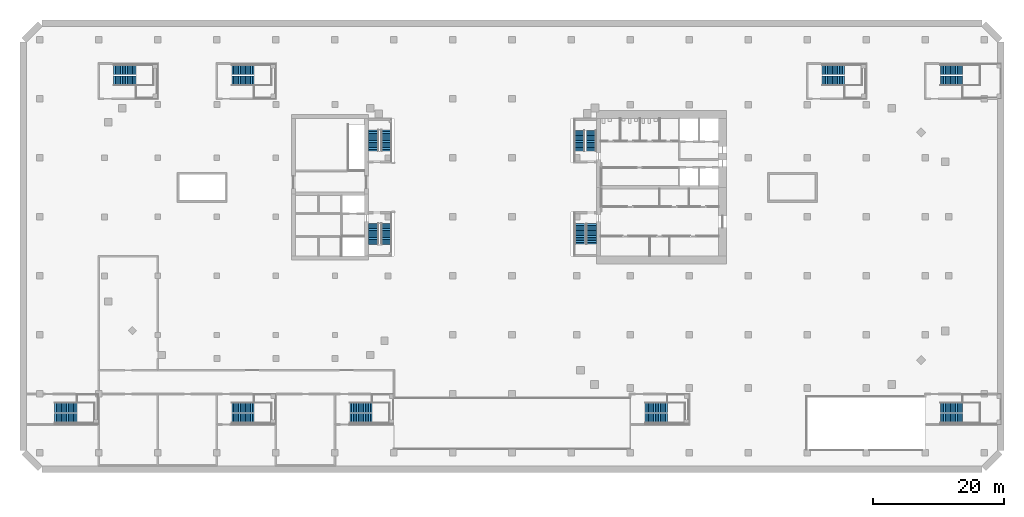
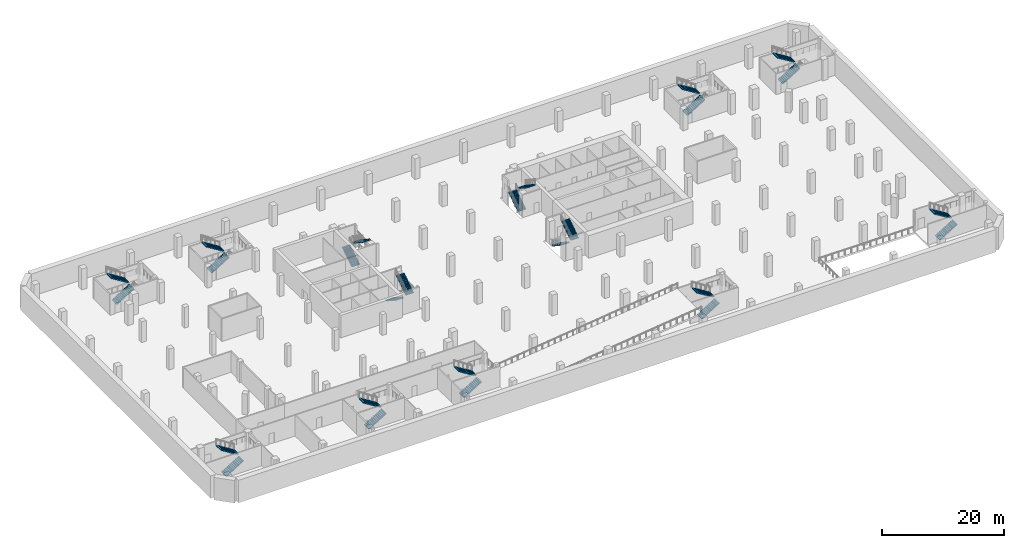
# One storey, part 11 of 16: 26 stair flights, 13 elements without a shape of their own.
"""IFC4 building model written with IfcOpenShell, lengths in metres."""

from ifc_helpers import new_model, si_unit, direction, frame, origin, place, context, subcontext, project, spatial, polyline, outline, extrude, material, type_object, element, aggregate, save


model = new_model("IFC4")

# Units and contexts
model_context = context("Model", 3, precision=1e-05, world=origin(), true_north=direction((0.0, 1.0)))
body_context = subcontext(model_context, "Body", "Model", "MODEL_VIEW")
ifc_project = project(units=[si_unit("LENGTHUNIT", "METRE"), si_unit("AREAUNIT", "SQUARE_METRE"), si_unit("VOLUMEUNIT", "CUBIC_METRE"), si_unit("PLANEANGLEUNIT", "RADIAN"), si_unit("MASSUNIT", "GRAM", prefix="KILO")], contexts=[model_context])

# Site, building, storey
site_placement = place(None, origin())
site = spatial("IfcSite", under=ifc_project, at=site_placement, CompositionType="ELEMENT")
building_placement = place(site_placement, origin())
building = spatial("IfcBuilding", under=site, at=building_placement, Name="Cinnabar Reach Civic Tower", CompositionType="ELEMENT")
storey_placement = place(building_placement, frame((0.0, 0.0, -9.5)))
storey = spatial("IfcBuildingStorey", under=building, at=storey_placement, Name="B2", CompositionType="ELEMENT", Elevation=-9.5)

# Stair, stair flights
ifc_material_1 = material(Name="Concrete C35", Category="concrete")
stair_type_1 = type_object("IfcStairType", Name="Podium exit stair 1500", PredefinedType="HALF_TURN_STAIR", material=ifc_material_1)
stair_1_placement = place(storey_placement, origin())
stair_1 = element("IfcStair", 1, at=stair_1_placement, inside=storey, type_object=stair_type_1, Name="Stair PS1", PredefinedType="HALF_TURN_STAIR")
stair_flight_type_1 = type_object("IfcStairFlightType", Name="Podium exit stair flight 1500", PredefinedType="STRAIGHT", material=ifc_material_1)
stair_flight_1_placement = place(storey_placement, frame((-78.71, -3.75, 0.0), z_axis=(0.0, 0.0, 1.0), x_axis=(1.0, 0.0, 0.0)))
stair_flight_1 = element("IfcStairFlight", 2, at=stair_flight_1_placement, type_object=stair_flight_type_1, Name="PS1 flight 1", NumberOfRisers=14, NumberOfTreads=13, PredefinedType="STRAIGHT", RiserHeight=0.160714286, TreadLength=0.26, context=body_context, shape_type="SweptSolid", body=[
    extrude(outline(polyline([(0.0, 0.0), (0.0, 0.1607), (0.26, 0.1607), (0.26, 0.3214), (0.52, 0.3214), (0.52, 0.4821), (0.78, 0.4821), (0.78, 0.6429), (1.04, 0.6429), (1.04, 0.8036), (1.3, 0.8036), (1.3, 0.9643), (1.56, 0.9643), (1.56, 1.125), (1.82, 1.125), (1.82, 1.2857), (2.08, 1.2857), (2.08, 1.4464), (2.34, 1.4464), (2.34, 1.6071), (2.6, 1.6071), (2.6, 1.7679), (2.86, 1.7679), (2.86, 1.9286), (3.12, 1.9286), (3.12, 2.0893), (3.38, 2.0893), (3.38, 2.25), (3.38, 1.9129), (0.2853, 0.0), (0.0, 0.0)])), frame((0.0, 0.75, 0.0), z_axis=(0.0, -1.0, 0.0), x_axis=(1.0, 0.0, 0.0)), (0.0, 0.0, 1.0), 1.5),
])
stair_flight_2_placement = place(storey_placement, frame((-75.33, -2.05, 2.25), z_axis=(0.0, 0.0, 1.0), x_axis=(-1.0, 0.0, 0.0)))
stair_flight_2 = element("IfcStairFlight", 3, at=stair_flight_2_placement, type_object=stair_flight_type_1, Name="PS1 flight 2", NumberOfRisers=14, NumberOfTreads=13, PredefinedType="STRAIGHT", RiserHeight=0.160714286, TreadLength=0.26, context=body_context, shape_type="SweptSolid", body=[
    extrude(outline(polyline([(0.0, 0.0), (0.0, 0.1607), (0.26, 0.1607), (0.26, 0.3214), (0.52, 0.3214), (0.52, 0.4821), (0.78, 0.4821), (0.78, 0.6429), (1.04, 0.6429), (1.04, 0.8036), (1.3, 0.8036), (1.3, 0.9643), (1.56, 0.9643), (1.56, 1.125), (1.82, 1.125), (1.82, 1.2857), (2.08, 1.2857), (2.08, 1.4464), (2.34, 1.4464), (2.34, 1.6071), (2.6, 1.6071), (2.6, 1.7679), (2.86, 1.7679), (2.86, 1.9286), (3.12, 1.9286), (3.12, 2.0893), (3.38, 2.0893), (3.38, 2.25), (3.38, 1.9129), (0.2853, 0.0), (0.0, 0.0)])), frame((0.0, 0.75, 0.0), z_axis=(0.0, -1.0, 0.0), x_axis=(1.0, 0.0, 0.0)), (0.0, 0.0, 1.0), 1.5),
])
aggregate(stair_1, [stair_flight_1, stair_flight_2])

stair_2_placement = place(storey_placement, origin())
stair_2 = element("IfcStair", 4, at=stair_2_placement, inside=storey, type_object=stair_type_1, Name="Stair PS2", PredefinedType="HALF_TURN_STAIR")
stair_flight_3_placement = place(storey_placement, frame((-69.71, 47.75, 0.0), z_axis=(0.0, 0.0, 1.0), x_axis=(1.0, 0.0, 0.0)))
stair_flight_3 = element("IfcStairFlight", 5, at=stair_flight_3_placement, type_object=stair_flight_type_1, Name="PS2 flight 1", NumberOfRisers=14, NumberOfTreads=13, PredefinedType="STRAIGHT", RiserHeight=0.160714286, TreadLength=0.26, context=body_context, shape_type="SweptSolid", body=[
    extrude(outline(polyline([(0.0, 0.0), (0.0, 0.1607), (0.26, 0.1607), (0.26, 0.3214), (0.52, 0.3214), (0.52, 0.4821), (0.78, 0.4821), (0.78, 0.6429), (1.04, 0.6429), (1.04, 0.8036), (1.3, 0.8036), (1.3, 0.9643), (1.56, 0.9643), (1.56, 1.125), (1.82, 1.125), (1.82, 1.2857), (2.08, 1.2857), (2.08, 1.4464), (2.34, 1.4464), (2.34, 1.6071), (2.6, 1.6071), (2.6, 1.7679), (2.86, 1.7679), (2.86, 1.9286), (3.12, 1.9286), (3.12, 2.0893), (3.38, 2.0893), (3.38, 2.25), (3.38, 1.9129), (0.2853, 0.0), (0.0, 0.0)])), frame((0.0, 0.75, 0.0), z_axis=(0.0, -1.0, 0.0), x_axis=(1.0, 0.0, 0.0)), (0.0, 0.0, 1.0), 1.5),
])
stair_flight_4_placement = place(storey_placement, frame((-66.33, 49.45, 2.25), z_axis=(0.0, 0.0, 1.0), x_axis=(-1.0, 0.0, 0.0)))
stair_flight_4 = element("IfcStairFlight", 6, at=stair_flight_4_placement, type_object=stair_flight_type_1, Name="PS2 flight 2", NumberOfRisers=14, NumberOfTreads=13, PredefinedType="STRAIGHT", RiserHeight=0.160714286, TreadLength=0.26, context=body_context, shape_type="SweptSolid", body=[
    extrude(outline(polyline([(0.0, 0.0), (0.0, 0.1607), (0.26, 0.1607), (0.26, 0.3214), (0.52, 0.3214), (0.52, 0.4821), (0.78, 0.4821), (0.78, 0.6429), (1.04, 0.6429), (1.04, 0.8036), (1.3, 0.8036), (1.3, 0.9643), (1.56, 0.9643), (1.56, 1.125), (1.82, 1.125), (1.82, 1.2857), (2.08, 1.2857), (2.08, 1.4464), (2.34, 1.4464), (2.34, 1.6071), (2.6, 1.6071), (2.6, 1.7679), (2.86, 1.7679), (2.86, 1.9286), (3.12, 1.9286), (3.12, 2.0893), (3.38, 2.0893), (3.38, 2.25), (3.38, 1.9129), (0.2853, 0.0), (0.0, 0.0)])), frame((0.0, 0.75, 0.0), z_axis=(0.0, -1.0, 0.0), x_axis=(1.0, 0.0, 0.0)), (0.0, 0.0, 1.0), 1.5),
])
aggregate(stair_2, [stair_flight_3, stair_flight_4])

stair_3_placement = place(storey_placement, origin())
stair_3 = element("IfcStair", 7, at=stair_3_placement, inside=storey, type_object=stair_type_1, Name="Stair PS3", PredefinedType="HALF_TURN_STAIR")
stair_flight_5_placement = place(storey_placement, frame((11.29, -3.75, 0.0), z_axis=(0.0, 0.0, 1.0), x_axis=(1.0, 0.0, 0.0)))
stair_flight_5 = element("IfcStairFlight", 8, at=stair_flight_5_placement, type_object=stair_flight_type_1, Name="PS3 flight 1", NumberOfRisers=14, NumberOfTreads=13, PredefinedType="STRAIGHT", RiserHeight=0.160714286, TreadLength=0.26, context=body_context, shape_type="SweptSolid", body=[
    extrude(outline(polyline([(0.0, 0.0), (0.0, 0.1607), (0.26, 0.1607), (0.26, 0.3214), (0.52, 0.3214), (0.52, 0.4821), (0.78, 0.4821), (0.78, 0.6429), (1.04, 0.6429), (1.04, 0.8036), (1.3, 0.8036), (1.3, 0.9643), (1.56, 0.9643), (1.56, 1.125), (1.82, 1.125), (1.82, 1.2857), (2.08, 1.2857), (2.08, 1.4464), (2.34, 1.4464), (2.34, 1.6071), (2.6, 1.6071), (2.6, 1.7679), (2.86, 1.7679), (2.86, 1.9286), (3.12, 1.9286), (3.12, 2.0893), (3.38, 2.0893), (3.38, 2.25), (3.38, 1.9129), (0.2853, 0.0), (0.0, 0.0)])), frame((0.0, 0.75, 0.0), z_axis=(0.0, -1.0, 0.0), x_axis=(1.0, 0.0, 0.0)), (0.0, 0.0, 1.0), 1.5),
])
stair_flight_6_placement = place(storey_placement, frame((14.67, -2.05, 2.25), z_axis=(0.0, 0.0, 1.0), x_axis=(-1.0, 0.0, 0.0)))
stair_flight_6 = element("IfcStairFlight", 9, at=stair_flight_6_placement, type_object=stair_flight_type_1, Name="PS3 flight 2", NumberOfRisers=14, NumberOfTreads=13, PredefinedType="STRAIGHT", RiserHeight=0.160714286, TreadLength=0.26, context=body_context, shape_type="SweptSolid", body=[
    extrude(outline(polyline([(0.0, 0.0), (0.0, 0.1607), (0.26, 0.1607), (0.26, 0.3214), (0.52, 0.3214), (0.52, 0.4821), (0.78, 0.4821), (0.78, 0.6429), (1.04, 0.6429), (1.04, 0.8036), (1.3, 0.8036), (1.3, 0.9643), (1.56, 0.9643), (1.56, 1.125), (1.82, 1.125), (1.82, 1.2857), (2.08, 1.2857), (2.08, 1.4464), (2.34, 1.4464), (2.34, 1.6071), (2.6, 1.6071), (2.6, 1.7679), (2.86, 1.7679), (2.86, 1.9286), (3.12, 1.9286), (3.12, 2.0893), (3.38, 2.0893), (3.38, 2.25), (3.38, 1.9129), (0.2853, 0.0), (0.0, 0.0)])), frame((0.0, 0.75, 0.0), z_axis=(0.0, -1.0, 0.0), x_axis=(1.0, 0.0, 0.0)), (0.0, 0.0, 1.0), 1.5),
])
aggregate(stair_3, [stair_flight_5, stair_flight_6])

stair_4_placement = place(storey_placement, origin())
stair_4 = element("IfcStair", 10, at=stair_4_placement, inside=storey, type_object=stair_type_1, Name="Stair PS4", PredefinedType="HALF_TURN_STAIR")
stair_flight_7_placement = place(storey_placement, frame((56.29, -3.75, 0.0), z_axis=(0.0, 0.0, 1.0), x_axis=(1.0, 0.0, 0.0)))
stair_flight_7 = element("IfcStairFlight", 11, at=stair_flight_7_placement, type_object=stair_flight_type_1, Name="PS4 flight 1", NumberOfRisers=14, NumberOfTreads=13, PredefinedType="STRAIGHT", RiserHeight=0.160714286, TreadLength=0.26, context=body_context, shape_type="SweptSolid", body=[
    extrude(outline(polyline([(0.0, 0.0), (0.0, 0.1607), (0.26, 0.1607), (0.26, 0.3214), (0.52, 0.3214), (0.52, 0.4821), (0.78, 0.4821), (0.78, 0.6429), (1.04, 0.6429), (1.04, 0.8036), (1.3, 0.8036), (1.3, 0.9643), (1.56, 0.9643), (1.56, 1.125), (1.82, 1.125), (1.82, 1.2857), (2.08, 1.2857), (2.08, 1.4464), (2.34, 1.4464), (2.34, 1.6071), (2.6, 1.6071), (2.6, 1.7679), (2.86, 1.7679), (2.86, 1.9286), (3.12, 1.9286), (3.12, 2.0893), (3.38, 2.0893), (3.38, 2.25), (3.38, 1.9129), (0.2853, 0.0), (0.0, 0.0)])), frame((0.0, 0.75, 0.0), z_axis=(0.0, -1.0, 0.0), x_axis=(1.0, 0.0, 0.0)), (0.0, 0.0, 1.0), 1.5),
])
stair_flight_8_placement = place(storey_placement, frame((59.67, -2.05, 2.25), z_axis=(0.0, 0.0, 1.0), x_axis=(-1.0, 0.0, 0.0)))
stair_flight_8 = element("IfcStairFlight", 12, at=stair_flight_8_placement, type_object=stair_flight_type_1, Name="PS4 flight 2", NumberOfRisers=14, NumberOfTreads=13, PredefinedType="STRAIGHT", RiserHeight=0.160714286, TreadLength=0.26, context=body_context, shape_type="SweptSolid", body=[
    extrude(outline(polyline([(0.0, 0.0), (0.0, 0.1607), (0.26, 0.1607), (0.26, 0.3214), (0.52, 0.3214), (0.52, 0.4821), (0.78, 0.4821), (0.78, 0.6429), (1.04, 0.6429), (1.04, 0.8036), (1.3, 0.8036), (1.3, 0.9643), (1.56, 0.9643), (1.56, 1.125), (1.82, 1.125), (1.82, 1.2857), (2.08, 1.2857), (2.08, 1.4464), (2.34, 1.4464), (2.34, 1.6071), (2.6, 1.6071), (2.6, 1.7679), (2.86, 1.7679), (2.86, 1.9286), (3.12, 1.9286), (3.12, 2.0893), (3.38, 2.0893), (3.38, 2.25), (3.38, 1.9129), (0.2853, 0.0), (0.0, 0.0)])), frame((0.0, 0.75, 0.0), z_axis=(0.0, -1.0, 0.0), x_axis=(1.0, 0.0, 0.0)), (0.0, 0.0, 1.0), 1.5),
])
aggregate(stair_4, [stair_flight_7, stair_flight_8])

stair_5_placement = place(storey_placement, origin())
stair_5 = element("IfcStair", 13, at=stair_5_placement, inside=storey, type_object=stair_type_1, Name="Stair PS5", PredefinedType="HALF_TURN_STAIR")
stair_flight_9_placement = place(storey_placement, frame((56.29, 47.75, 0.0), z_axis=(0.0, 0.0, 1.0), x_axis=(1.0, 0.0, 0.0)))
stair_flight_9 = element("IfcStairFlight", 14, at=stair_flight_9_placement, type_object=stair_flight_type_1, Name="PS5 flight 1", NumberOfRisers=14, NumberOfTreads=13, PredefinedType="STRAIGHT", RiserHeight=0.160714286, TreadLength=0.26, context=body_context, shape_type="SweptSolid", body=[
    extrude(outline(polyline([(0.0, 0.0), (0.0, 0.1607), (0.26, 0.1607), (0.26, 0.3214), (0.52, 0.3214), (0.52, 0.4821), (0.78, 0.4821), (0.78, 0.6429), (1.04, 0.6429), (1.04, 0.8036), (1.3, 0.8036), (1.3, 0.9643), (1.56, 0.9643), (1.56, 1.125), (1.82, 1.125), (1.82, 1.2857), (2.08, 1.2857), (2.08, 1.4464), (2.34, 1.4464), (2.34, 1.6071), (2.6, 1.6071), (2.6, 1.7679), (2.86, 1.7679), (2.86, 1.9286), (3.12, 1.9286), (3.12, 2.0893), (3.38, 2.0893), (3.38, 2.25), (3.38, 1.9129), (0.2853, 0.0), (0.0, 0.0)])), frame((0.0, 0.75, 0.0), z_axis=(0.0, -1.0, 0.0), x_axis=(1.0, 0.0, 0.0)), (0.0, 0.0, 1.0), 1.5),
])
stair_flight_10_placement = place(storey_placement, frame((59.67, 49.45, 2.25), z_axis=(0.0, 0.0, 1.0), x_axis=(-1.0, 0.0, 0.0)))
stair_flight_10 = element("IfcStairFlight", 15, at=stair_flight_10_placement, type_object=stair_flight_type_1, Name="PS5 flight 2", NumberOfRisers=14, NumberOfTreads=13, PredefinedType="STRAIGHT", RiserHeight=0.160714286, TreadLength=0.26, context=body_context, shape_type="SweptSolid", body=[
    extrude(outline(polyline([(0.0, 0.0), (0.0, 0.1607), (0.26, 0.1607), (0.26, 0.3214), (0.52, 0.3214), (0.52, 0.4821), (0.78, 0.4821), (0.78, 0.6429), (1.04, 0.6429), (1.04, 0.8036), (1.3, 0.8036), (1.3, 0.9643), (1.56, 0.9643), (1.56, 1.125), (1.82, 1.125), (1.82, 1.2857), (2.08, 1.2857), (2.08, 1.4464), (2.34, 1.4464), (2.34, 1.6071), (2.6, 1.6071), (2.6, 1.7679), (2.86, 1.7679), (2.86, 1.9286), (3.12, 1.9286), (3.12, 2.0893), (3.38, 2.0893), (3.38, 2.25), (3.38, 1.9129), (0.2853, 0.0), (0.0, 0.0)])), frame((0.0, 0.75, 0.0), z_axis=(0.0, -1.0, 0.0), x_axis=(1.0, 0.0, 0.0)), (0.0, 0.0, 1.0), 1.5),
])
aggregate(stair_5, [stair_flight_9, stair_flight_10])

stair_6_placement = place(storey_placement, origin())
stair_6 = element("IfcStair", 16, at=stair_6_placement, inside=storey, type_object=stair_type_1, Name="Stair PS6", PredefinedType="HALF_TURN_STAIR")
stair_flight_11_placement = place(storey_placement, frame((38.29, 47.75, 0.0), z_axis=(0.0, 0.0, 1.0), x_axis=(1.0, 0.0, 0.0)))
stair_flight_11 = element("IfcStairFlight", 17, at=stair_flight_11_placement, type_object=stair_flight_type_1, Name="PS6 flight 1", NumberOfRisers=14, NumberOfTreads=13, PredefinedType="STRAIGHT", RiserHeight=0.160714286, TreadLength=0.26, context=body_context, shape_type="SweptSolid", body=[
    extrude(outline(polyline([(0.0, 0.0), (0.0, 0.1607), (0.26, 0.1607), (0.26, 0.3214), (0.52, 0.3214), (0.52, 0.4821), (0.78, 0.4821), (0.78, 0.6429), (1.04, 0.6429), (1.04, 0.8036), (1.3, 0.8036), (1.3, 0.9643), (1.56, 0.9643), (1.56, 1.125), (1.82, 1.125), (1.82, 1.2857), (2.08, 1.2857), (2.08, 1.4464), (2.34, 1.4464), (2.34, 1.6071), (2.6, 1.6071), (2.6, 1.7679), (2.86, 1.7679), (2.86, 1.9286), (3.12, 1.9286), (3.12, 2.0893), (3.38, 2.0893), (3.38, 2.25), (3.38, 1.9129), (0.2853, 0.0), (0.0, 0.0)])), frame((0.0, 0.75, 0.0), z_axis=(0.0, -1.0, 0.0), x_axis=(1.0, 0.0, 0.0)), (0.0, 0.0, 1.0), 1.5),
])
stair_flight_12_placement = place(storey_placement, frame((41.67, 49.45, 2.25), z_axis=(0.0, 0.0, 1.0), x_axis=(-1.0, 0.0, 0.0)))
stair_flight_12 = element("IfcStairFlight", 18, at=stair_flight_12_placement, type_object=stair_flight_type_1, Name="PS6 flight 2", NumberOfRisers=14, NumberOfTreads=13, PredefinedType="STRAIGHT", RiserHeight=0.160714286, TreadLength=0.26, context=body_context, shape_type="SweptSolid", body=[
    extrude(outline(polyline([(0.0, 0.0), (0.0, 0.1607), (0.26, 0.1607), (0.26, 0.3214), (0.52, 0.3214), (0.52, 0.4821), (0.78, 0.4821), (0.78, 0.6429), (1.04, 0.6429), (1.04, 0.8036), (1.3, 0.8036), (1.3, 0.9643), (1.56, 0.9643), (1.56, 1.125), (1.82, 1.125), (1.82, 1.2857), (2.08, 1.2857), (2.08, 1.4464), (2.34, 1.4464), (2.34, 1.6071), (2.6, 1.6071), (2.6, 1.7679), (2.86, 1.7679), (2.86, 1.9286), (3.12, 1.9286), (3.12, 2.0893), (3.38, 2.0893), (3.38, 2.25), (3.38, 1.9129), (0.2853, 0.0), (0.0, 0.0)])), frame((0.0, 0.75, 0.0), z_axis=(0.0, -1.0, 0.0), x_axis=(1.0, 0.0, 0.0)), (0.0, 0.0, 1.0), 1.5),
])
aggregate(stair_6, [stair_flight_11, stair_flight_12])

stair_7_placement = place(storey_placement, origin())
stair_7 = element("IfcStair", 19, at=stair_7_placement, inside=storey, type_object=stair_type_1, Name="Stair PS7", PredefinedType="HALF_TURN_STAIR")
stair_flight_13_placement = place(storey_placement, frame((-51.71, 47.75, 0.0), z_axis=(0.0, 0.0, 1.0), x_axis=(1.0, 0.0, 0.0)))
stair_flight_13 = element("IfcStairFlight", 20, at=stair_flight_13_placement, type_object=stair_flight_type_1, Name="PS7 flight 1", NumberOfRisers=14, NumberOfTreads=13, PredefinedType="STRAIGHT", RiserHeight=0.160714286, TreadLength=0.26, context=body_context, shape_type="SweptSolid", body=[
    extrude(outline(polyline([(0.0, 0.0), (0.0, 0.1607), (0.26, 0.1607), (0.26, 0.3214), (0.52, 0.3214), (0.52, 0.4821), (0.78, 0.4821), (0.78, 0.6429), (1.04, 0.6429), (1.04, 0.8036), (1.3, 0.8036), (1.3, 0.9643), (1.56, 0.9643), (1.56, 1.125), (1.82, 1.125), (1.82, 1.2857), (2.08, 1.2857), (2.08, 1.4464), (2.34, 1.4464), (2.34, 1.6071), (2.6, 1.6071), (2.6, 1.7679), (2.86, 1.7679), (2.86, 1.9286), (3.12, 1.9286), (3.12, 2.0893), (3.38, 2.0893), (3.38, 2.25), (3.38, 1.9129), (0.2853, 0.0), (0.0, 0.0)])), frame((0.0, 0.75, 0.0), z_axis=(0.0, -1.0, 0.0), x_axis=(1.0, 0.0, 0.0)), (0.0, 0.0, 1.0), 1.5),
])
stair_flight_14_placement = place(storey_placement, frame((-48.33, 49.45, 2.25), z_axis=(0.0, 0.0, 1.0), x_axis=(-1.0, 0.0, 0.0)))
stair_flight_14 = element("IfcStairFlight", 21, at=stair_flight_14_placement, type_object=stair_flight_type_1, Name="PS7 flight 2", NumberOfRisers=14, NumberOfTreads=13, PredefinedType="STRAIGHT", RiserHeight=0.160714286, TreadLength=0.26, context=body_context, shape_type="SweptSolid", body=[
    extrude(outline(polyline([(0.0, 0.0), (0.0, 0.1607), (0.26, 0.1607), (0.26, 0.3214), (0.52, 0.3214), (0.52, 0.4821), (0.78, 0.4821), (0.78, 0.6429), (1.04, 0.6429), (1.04, 0.8036), (1.3, 0.8036), (1.3, 0.9643), (1.56, 0.9643), (1.56, 1.125), (1.82, 1.125), (1.82, 1.2857), (2.08, 1.2857), (2.08, 1.4464), (2.34, 1.4464), (2.34, 1.6071), (2.6, 1.6071), (2.6, 1.7679), (2.86, 1.7679), (2.86, 1.9286), (3.12, 1.9286), (3.12, 2.0893), (3.38, 2.0893), (3.38, 2.25), (3.38, 1.9129), (0.2853, 0.0), (0.0, 0.0)])), frame((0.0, 0.75, 0.0), z_axis=(0.0, -1.0, 0.0), x_axis=(1.0, 0.0, 0.0)), (0.0, 0.0, 1.0), 1.5),
])
aggregate(stair_7, [stair_flight_13, stair_flight_14])

stair_8_placement = place(storey_placement, origin())
stair_8 = element("IfcStair", 22, at=stair_8_placement, inside=storey, type_object=stair_type_1, Name="Stair PS8", PredefinedType="HALF_TURN_STAIR")
stair_flight_15_placement = place(storey_placement, frame((-51.71, -3.75, 0.0), z_axis=(0.0, 0.0, 1.0), x_axis=(1.0, 0.0, 0.0)))
stair_flight_15 = element("IfcStairFlight", 23, at=stair_flight_15_placement, type_object=stair_flight_type_1, Name="PS8 flight 1", NumberOfRisers=14, NumberOfTreads=13, PredefinedType="STRAIGHT", RiserHeight=0.160714286, TreadLength=0.26, context=body_context, shape_type="SweptSolid", body=[
    extrude(outline(polyline([(0.0, 0.0), (0.0, 0.1607), (0.26, 0.1607), (0.26, 0.3214), (0.52, 0.3214), (0.52, 0.4821), (0.78, 0.4821), (0.78, 0.6429), (1.04, 0.6429), (1.04, 0.8036), (1.3, 0.8036), (1.3, 0.9643), (1.56, 0.9643), (1.56, 1.125), (1.82, 1.125), (1.82, 1.2857), (2.08, 1.2857), (2.08, 1.4464), (2.34, 1.4464), (2.34, 1.6071), (2.6, 1.6071), (2.6, 1.7679), (2.86, 1.7679), (2.86, 1.9286), (3.12, 1.9286), (3.12, 2.0893), (3.38, 2.0893), (3.38, 2.25), (3.38, 1.9129), (0.2853, 0.0), (0.0, 0.0)])), frame((0.0, 0.75, 0.0), z_axis=(0.0, -1.0, 0.0), x_axis=(1.0, 0.0, 0.0)), (0.0, 0.0, 1.0), 1.5),
])
stair_flight_16_placement = place(storey_placement, frame((-48.33, -2.05, 2.25), z_axis=(0.0, 0.0, 1.0), x_axis=(-1.0, 0.0, 0.0)))
stair_flight_16 = element("IfcStairFlight", 24, at=stair_flight_16_placement, type_object=stair_flight_type_1, Name="PS8 flight 2", NumberOfRisers=14, NumberOfTreads=13, PredefinedType="STRAIGHT", RiserHeight=0.160714286, TreadLength=0.26, context=body_context, shape_type="SweptSolid", body=[
    extrude(outline(polyline([(0.0, 0.0), (0.0, 0.1607), (0.26, 0.1607), (0.26, 0.3214), (0.52, 0.3214), (0.52, 0.4821), (0.78, 0.4821), (0.78, 0.6429), (1.04, 0.6429), (1.04, 0.8036), (1.3, 0.8036), (1.3, 0.9643), (1.56, 0.9643), (1.56, 1.125), (1.82, 1.125), (1.82, 1.2857), (2.08, 1.2857), (2.08, 1.4464), (2.34, 1.4464), (2.34, 1.6071), (2.6, 1.6071), (2.6, 1.7679), (2.86, 1.7679), (2.86, 1.9286), (3.12, 1.9286), (3.12, 2.0893), (3.38, 2.0893), (3.38, 2.25), (3.38, 1.9129), (0.2853, 0.0), (0.0, 0.0)])), frame((0.0, 0.75, 0.0), z_axis=(0.0, -1.0, 0.0), x_axis=(1.0, 0.0, 0.0)), (0.0, 0.0, 1.0), 1.5),
])
aggregate(stair_8, [stair_flight_15, stair_flight_16])

stair_9_placement = place(storey_placement, origin())
stair_9 = element("IfcStair", 25, at=stair_9_placement, inside=storey, type_object=stair_type_1, Name="Stair PS9", PredefinedType="HALF_TURN_STAIR")
stair_flight_17_placement = place(storey_placement, frame((-33.71, -3.75, 0.0), z_axis=(0.0, 0.0, 1.0), x_axis=(1.0, 0.0, 0.0)))
stair_flight_17 = element("IfcStairFlight", 26, at=stair_flight_17_placement, type_object=stair_flight_type_1, Name="PS9 flight 1", NumberOfRisers=14, NumberOfTreads=13, PredefinedType="STRAIGHT", RiserHeight=0.160714286, TreadLength=0.26, context=body_context, shape_type="SweptSolid", body=[
    extrude(outline(polyline([(0.0, 0.0), (0.0, 0.1607), (0.26, 0.1607), (0.26, 0.3214), (0.52, 0.3214), (0.52, 0.4821), (0.78, 0.4821), (0.78, 0.6429), (1.04, 0.6429), (1.04, 0.8036), (1.3, 0.8036), (1.3, 0.9643), (1.56, 0.9643), (1.56, 1.125), (1.82, 1.125), (1.82, 1.2857), (2.08, 1.2857), (2.08, 1.4464), (2.34, 1.4464), (2.34, 1.6071), (2.6, 1.6071), (2.6, 1.7679), (2.86, 1.7679), (2.86, 1.9286), (3.12, 1.9286), (3.12, 2.0893), (3.38, 2.0893), (3.38, 2.25), (3.38, 1.9129), (0.2853, 0.0), (0.0, 0.0)])), frame((0.0, 0.75, 0.0), z_axis=(0.0, -1.0, 0.0), x_axis=(1.0, 0.0, 0.0)), (0.0, 0.0, 1.0), 1.5),
])
stair_flight_18_placement = place(storey_placement, frame((-30.33, -2.05, 2.25), z_axis=(0.0, 0.0, 1.0), x_axis=(-1.0, 0.0, 0.0)))
stair_flight_18 = element("IfcStairFlight", 27, at=stair_flight_18_placement, type_object=stair_flight_type_1, Name="PS9 flight 2", NumberOfRisers=14, NumberOfTreads=13, PredefinedType="STRAIGHT", RiserHeight=0.160714286, TreadLength=0.26, context=body_context, shape_type="SweptSolid", body=[
    extrude(outline(polyline([(0.0, 0.0), (0.0, 0.1607), (0.26, 0.1607), (0.26, 0.3214), (0.52, 0.3214), (0.52, 0.4821), (0.78, 0.4821), (0.78, 0.6429), (1.04, 0.6429), (1.04, 0.8036), (1.3, 0.8036), (1.3, 0.9643), (1.56, 0.9643), (1.56, 1.125), (1.82, 1.125), (1.82, 1.2857), (2.08, 1.2857), (2.08, 1.4464), (2.34, 1.4464), (2.34, 1.6071), (2.6, 1.6071), (2.6, 1.7679), (2.86, 1.7679), (2.86, 1.9286), (3.12, 1.9286), (3.12, 2.0893), (3.38, 2.0893), (3.38, 2.25), (3.38, 1.9129), (0.2853, 0.0), (0.0, 0.0)])), frame((0.0, 0.75, 0.0), z_axis=(0.0, -1.0, 0.0), x_axis=(1.0, 0.0, 0.0)), (0.0, 0.0, 1.0), 1.5),
])
aggregate(stair_9, [stair_flight_17, stair_flight_18])

ifc_material_2 = material(Name="Concrete C40/50", Category="concrete")
stair_type_2 = type_object("IfcStairType", Name="T1 Exit stair, half-turn", PredefinedType="HALF_TURN_STAIR", material=ifc_material_2)
stair_10_placement = place(storey_placement, origin())
stair_10 = element("IfcStair", 28, at=stair_10_placement, inside=storey, type_object=stair_type_2, Name="Stair T1-S1", PredefinedType="HALF_TURN_STAIR")
stair_flight_type_2 = type_object("IfcStairFlightType", Name="T1 Stair flight, concrete", PredefinedType="STRAIGHT", material=ifc_material_2)
stair_flight_19_placement = place(storey_placement, frame((1.3125, 25.95, 0.0), z_axis=(0.0, 0.0, 1.0), x_axis=(0.0, -1.0, 0.0)))
stair_flight_19 = element("IfcStairFlight", 29, at=stair_flight_19_placement, type_object=stair_flight_type_2, Name="T1-S1 flight 1", NumberOfRisers=13, NumberOfTreads=12, PredefinedType="STRAIGHT", RiserHeight=0.173076923, TreadLength=0.26, context=body_context, shape_type="SweptSolid", body=[
    extrude(outline(polyline([(0.0, 0.0), (0.0, 0.1731), (0.26, 0.1731), (0.26, 0.3462), (0.52, 0.3462), (0.52, 0.5192), (0.78, 0.5192), (0.78, 0.6923), (1.04, 0.6923), (1.04, 0.8654), (1.3, 0.8654), (1.3, 1.0385), (1.56, 1.0385), (1.56, 1.2115), (1.82, 1.2115), (1.82, 1.3846), (2.08, 1.3846), (2.08, 1.5577), (2.34, 1.5577), (2.34, 1.7308), (2.6, 1.7308), (2.6, 1.9038), (2.86, 1.9038), (2.86, 2.0769), (3.12, 2.0769), (3.12, 2.25), (3.12, 1.8967), (0.2707, 0.0), (0.0, 0.0)])), frame((0.0, 0.7625, 0.0), z_axis=(0.0, -1.0, 0.0), x_axis=(1.0, 0.0, 0.0)), (0.0, 0.0, 1.0), 1.525),
])
stair_flight_20_placement = place(storey_placement, frame((3.0875, 22.83, 2.25), z_axis=(0.0, 0.0, 1.0), x_axis=(0.0, 1.0, 0.0)))
stair_flight_20 = element("IfcStairFlight", 30, at=stair_flight_20_placement, type_object=stair_flight_type_2, Name="T1-S1 flight 2", NumberOfRisers=13, NumberOfTreads=12, PredefinedType="STRAIGHT", RiserHeight=0.173076923, TreadLength=0.26, context=body_context, shape_type="SweptSolid", body=[
    extrude(outline(polyline([(0.0, 0.0), (0.0, 0.1731), (0.26, 0.1731), (0.26, 0.3462), (0.52, 0.3462), (0.52, 0.5192), (0.78, 0.5192), (0.78, 0.6923), (1.04, 0.6923), (1.04, 0.8654), (1.3, 0.8654), (1.3, 1.0385), (1.56, 1.0385), (1.56, 1.2115), (1.82, 1.2115), (1.82, 1.3846), (2.08, 1.3846), (2.08, 1.5577), (2.34, 1.5577), (2.34, 1.7308), (2.6, 1.7308), (2.6, 1.9038), (2.86, 1.9038), (2.86, 2.0769), (3.12, 2.0769), (3.12, 2.25), (3.12, 1.8967), (0.2707, 0.0), (0.0, 0.0)])), frame((0.0, 0.7625, 0.0), z_axis=(0.0, -1.0, 0.0), x_axis=(1.0, 0.0, 0.0)), (0.0, 0.0, 1.0), 1.525),
])
aggregate(stair_10, [stair_flight_19, stair_flight_20])

stair_11_placement = place(storey_placement, origin())
stair_11 = element("IfcStair", 31, at=stair_11_placement, inside=storey, type_object=stair_type_2, Name="Stair T1-S2", PredefinedType="HALF_TURN_STAIR")
stair_flight_21_placement = place(storey_placement, frame((1.3125, 37.05, 0.0), z_axis=(0.0, 0.0, 1.0), x_axis=(0.0, 1.0, 0.0)))
stair_flight_21 = element("IfcStairFlight", 32, at=stair_flight_21_placement, type_object=stair_flight_type_2, Name="T1-S2 flight 1", NumberOfRisers=13, NumberOfTreads=12, PredefinedType="STRAIGHT", RiserHeight=0.173076923, TreadLength=0.26, context=body_context, shape_type="SweptSolid", body=[
    extrude(outline(polyline([(0.0, 0.0), (0.0, 0.1731), (0.26, 0.1731), (0.26, 0.3462), (0.52, 0.3462), (0.52, 0.5192), (0.78, 0.5192), (0.78, 0.6923), (1.04, 0.6923), (1.04, 0.8654), (1.3, 0.8654), (1.3, 1.0385), (1.56, 1.0385), (1.56, 1.2115), (1.82, 1.2115), (1.82, 1.3846), (2.08, 1.3846), (2.08, 1.5577), (2.34, 1.5577), (2.34, 1.7308), (2.6, 1.7308), (2.6, 1.9038), (2.86, 1.9038), (2.86, 2.0769), (3.12, 2.0769), (3.12, 2.25), (3.12, 1.8967), (0.2707, 0.0), (0.0, 0.0)])), frame((0.0, 0.7625, 0.0), z_axis=(0.0, -1.0, 0.0), x_axis=(1.0, 0.0, 0.0)), (0.0, 0.0, 1.0), 1.525),
])
stair_flight_22_placement = place(storey_placement, frame((3.0875, 40.17, 2.25), z_axis=(0.0, 0.0, 1.0), x_axis=(0.0, -1.0, 0.0)))
stair_flight_22 = element("IfcStairFlight", 33, at=stair_flight_22_placement, type_object=stair_flight_type_2, Name="T1-S2 flight 2", NumberOfRisers=13, NumberOfTreads=12, PredefinedType="STRAIGHT", RiserHeight=0.173076923, TreadLength=0.26, context=body_context, shape_type="SweptSolid", body=[
    extrude(outline(polyline([(0.0, 0.0), (0.0, 0.1731), (0.26, 0.1731), (0.26, 0.3462), (0.52, 0.3462), (0.52, 0.5192), (0.78, 0.5192), (0.78, 0.6923), (1.04, 0.6923), (1.04, 0.8654), (1.3, 0.8654), (1.3, 1.0385), (1.56, 1.0385), (1.56, 1.2115), (1.82, 1.2115), (1.82, 1.3846), (2.08, 1.3846), (2.08, 1.5577), (2.34, 1.5577), (2.34, 1.7308), (2.6, 1.7308), (2.6, 1.9038), (2.86, 1.9038), (2.86, 2.0769), (3.12, 2.0769), (3.12, 2.25), (3.12, 1.8967), (0.2707, 0.0), (0.0, 0.0)])), frame((0.0, 0.7625, 0.0), z_axis=(0.0, -1.0, 0.0), x_axis=(1.0, 0.0, 0.0)), (0.0, 0.0, 1.0), 1.525),
])
aggregate(stair_11, [stair_flight_21, stair_flight_22])

ifc_material_3 = material(Name="Concrete C40", Category="concrete")
stair_type_3 = type_object("IfcStairType", Name="T2 Exit stair 1500", PredefinedType="HALF_TURN_STAIR", material=ifc_material_3)
stair_12_placement = place(storey_placement, origin())
stair_12 = element("IfcStair", 34, at=stair_12_placement, inside=storey, type_object=stair_type_3, Name="Exit stair 1", PredefinedType="HALF_TURN_STAIR")
stair_flight_type_3 = type_object("IfcStairFlightType", Name="T2 Stair flight 1500", PredefinedType="STRAIGHT", material=ifc_material_3)
stair_flight_23_placement = place(storey_placement, frame((-30.15, 26.0, 0.0), z_axis=(0.0, 0.0, 1.0), x_axis=(0.0, -1.0, 0.0)))
stair_flight_23 = element("IfcStairFlight", 35, at=stair_flight_23_placement, type_object=stair_flight_type_3, Name="ST1 flight 1", NumberOfRisers=13, NumberOfTreads=12, PredefinedType="STRAIGHT", RiserHeight=0.173076923, TreadLength=0.270833333, context=body_context, shape_type="SweptSolid", body=[
    extrude(outline(polyline([(0.0, 0.0), (0.0, 0.1731), (0.2708, 0.1731), (0.2708, 0.3462), (0.5417, 0.3462), (0.5417, 0.5192), (0.8125, 0.5192), (0.8125, 0.6923), (1.0833, 0.6923), (1.0833, 0.8654), (1.3542, 0.8654), (1.3542, 1.0385), (1.625, 1.0385), (1.625, 1.2115), (1.8958, 1.2115), (1.8958, 1.3846), (2.1667, 1.3846), (2.1667, 1.5577), (2.4375, 1.5577), (2.4375, 1.7308), (2.7083, 1.7308), (2.7083, 1.9038), (2.9792, 1.9038), (2.9792, 2.0769), (3.25, 2.0769), (3.25, 2.25), (3.25, 1.8989), (0.2786, 0.0), (0.0, 0.0)])), frame((0.0, 0.75, 0.0), z_axis=(0.0, -1.0, 0.0), x_axis=(1.0, 0.0, 0.0)), (0.0, 0.0, 1.0), 1.5),
])
stair_flight_24_placement = place(storey_placement, frame((-28.15, 22.75, 2.25), z_axis=(0.0, 0.0, 1.0), x_axis=(0.0, 1.0, 0.0)))
stair_flight_24 = element("IfcStairFlight", 36, at=stair_flight_24_placement, type_object=stair_flight_type_3, Name="ST1 flight 2", NumberOfRisers=13, NumberOfTreads=12, PredefinedType="STRAIGHT", RiserHeight=0.173076923, TreadLength=0.270833333, context=body_context, shape_type="SweptSolid", body=[
    extrude(outline(polyline([(0.0, 0.0), (0.0, 0.1731), (0.2708, 0.1731), (0.2708, 0.3462), (0.5417, 0.3462), (0.5417, 0.5192), (0.8125, 0.5192), (0.8125, 0.6923), (1.0833, 0.6923), (1.0833, 0.8654), (1.3542, 0.8654), (1.3542, 1.0385), (1.625, 1.0385), (1.625, 1.2115), (1.8958, 1.2115), (1.8958, 1.3846), (2.1667, 1.3846), (2.1667, 1.5577), (2.4375, 1.5577), (2.4375, 1.7308), (2.7083, 1.7308), (2.7083, 1.9038), (2.9792, 1.9038), (2.9792, 2.0769), (3.25, 2.0769), (3.25, 2.25), (3.25, 1.8989), (0.2786, 0.0), (0.0, 0.0)])), frame((0.0, 0.75, 0.0), z_axis=(0.0, -1.0, 0.0), x_axis=(1.0, 0.0, 0.0)), (0.0, 0.0, 1.0), 1.5),
])
aggregate(stair_12, [stair_flight_23, stair_flight_24])

stair_13_placement = place(storey_placement, origin())
stair_13 = element("IfcStair", 37, at=stair_13_placement, inside=storey, type_object=stair_type_3, Name="Exit stair 2", PredefinedType="HALF_TURN_STAIR")
stair_flight_25_placement = place(storey_placement, frame((-30.15, 37.0, 0.0), z_axis=(0.0, 0.0, 1.0), x_axis=(0.0, 1.0, 0.0)))
stair_flight_25 = element("IfcStairFlight", 38, at=stair_flight_25_placement, type_object=stair_flight_type_3, Name="ST2 flight 1", NumberOfRisers=13, NumberOfTreads=12, PredefinedType="STRAIGHT", RiserHeight=0.173076923, TreadLength=0.270833333, context=body_context, shape_type="SweptSolid", body=[
    extrude(outline(polyline([(0.0, 0.0), (0.0, 0.1731), (0.2708, 0.1731), (0.2708, 0.3462), (0.5417, 0.3462), (0.5417, 0.5192), (0.8125, 0.5192), (0.8125, 0.6923), (1.0833, 0.6923), (1.0833, 0.8654), (1.3542, 0.8654), (1.3542, 1.0385), (1.625, 1.0385), (1.625, 1.2115), (1.8958, 1.2115), (1.8958, 1.3846), (2.1667, 1.3846), (2.1667, 1.5577), (2.4375, 1.5577), (2.4375, 1.7308), (2.7083, 1.7308), (2.7083, 1.9038), (2.9792, 1.9038), (2.9792, 2.0769), (3.25, 2.0769), (3.25, 2.25), (3.25, 1.8989), (0.2786, 0.0), (0.0, 0.0)])), frame((0.0, 0.75, 0.0), z_axis=(0.0, -1.0, 0.0), x_axis=(1.0, 0.0, 0.0)), (0.0, 0.0, 1.0), 1.5),
])
stair_flight_26_placement = place(storey_placement, frame((-28.15, 40.25, 2.25), z_axis=(0.0, 0.0, 1.0), x_axis=(0.0, -1.0, 0.0)))
stair_flight_26 = element("IfcStairFlight", 39, at=stair_flight_26_placement, type_object=stair_flight_type_3, Name="ST2 flight 2", NumberOfRisers=13, NumberOfTreads=12, PredefinedType="STRAIGHT", RiserHeight=0.173076923, TreadLength=0.270833333, context=body_context, shape_type="SweptSolid", body=[
    extrude(outline(polyline([(0.0, 0.0), (0.0, 0.1731), (0.2708, 0.1731), (0.2708, 0.3462), (0.5417, 0.3462), (0.5417, 0.5192), (0.8125, 0.5192), (0.8125, 0.6923), (1.0833, 0.6923), (1.0833, 0.8654), (1.3542, 0.8654), (1.3542, 1.0385), (1.625, 1.0385), (1.625, 1.2115), (1.8958, 1.2115), (1.8958, 1.3846), (2.1667, 1.3846), (2.1667, 1.5577), (2.4375, 1.5577), (2.4375, 1.7308), (2.7083, 1.7308), (2.7083, 1.9038), (2.9792, 1.9038), (2.9792, 2.0769), (3.25, 2.0769), (3.25, 2.25), (3.25, 1.8989), (0.2786, 0.0), (0.0, 0.0)])), frame((0.0, 0.75, 0.0), z_axis=(0.0, -1.0, 0.0), x_axis=(1.0, 0.0, 0.0)), (0.0, 0.0, 1.0), 1.5),
])
aggregate(stair_13, [stair_flight_25, stair_flight_26])

save(model, "model.ifc")
